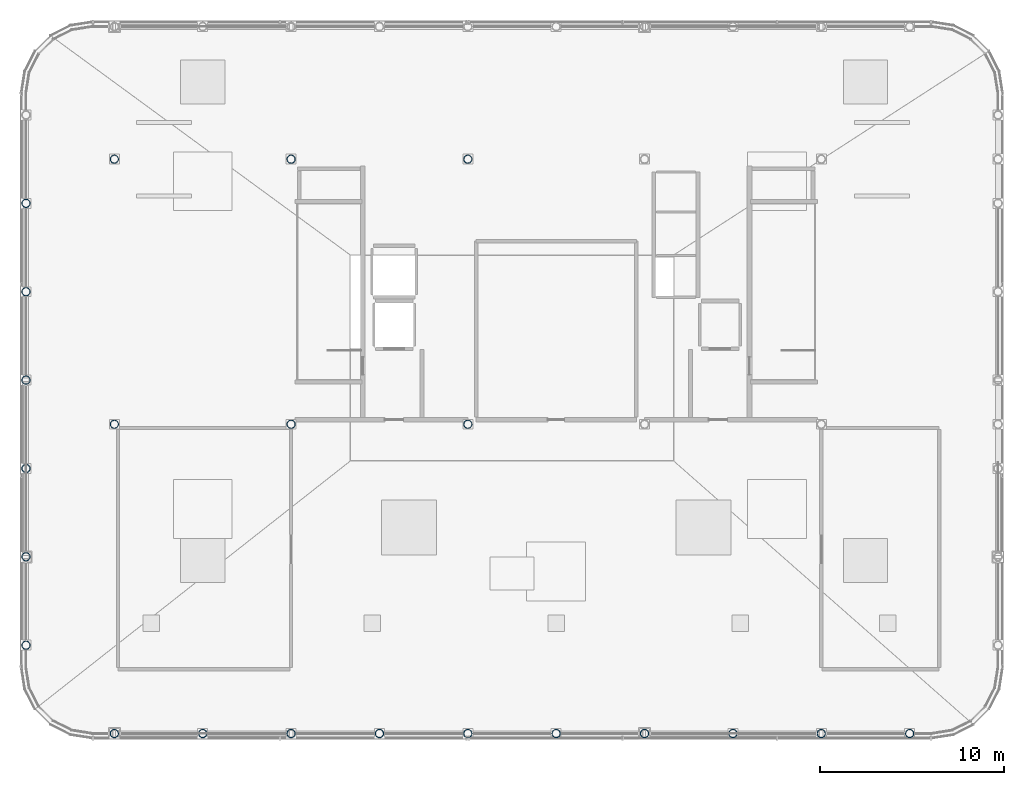
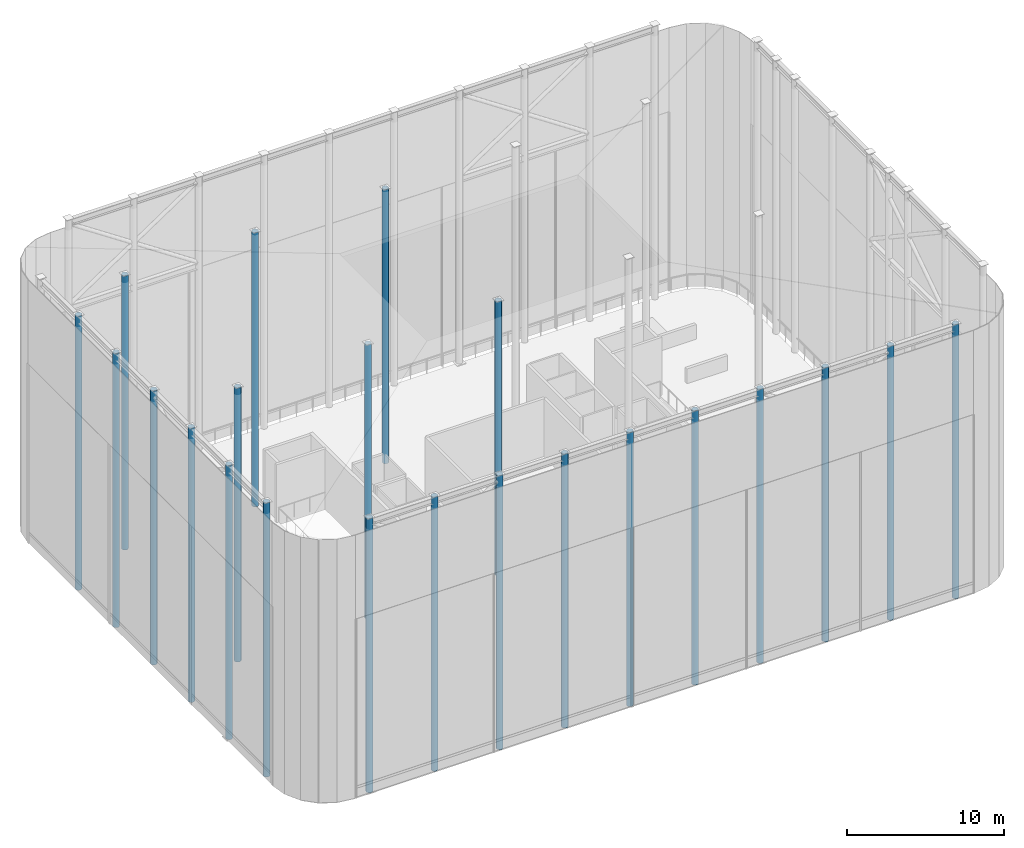
# One storey, part 1 of 42: 22 columns.
"""IFC4 building model written with IfcOpenShell, lengths in metres."""

from ifc_helpers import new_model, si_unit, direction, frame, origin, origin_2d, place, context, subcontext, project, spatial, hollow_circle, extrude, material, material_profile, profile_set, type_object, element, save


model = new_model("IFC4")

# Units and contexts
model_context = context("Model", 3, precision=1e-05, world=origin(), true_north=direction((0.0, 1.0)))
body_context = subcontext(model_context, "Body", "Model", "MODEL_VIEW")
ifc_project = project(units=[si_unit("LENGTHUNIT", "METRE"), si_unit("AREAUNIT", "SQUARE_METRE"), si_unit("VOLUMEUNIT", "CUBIC_METRE"), si_unit("PLANEANGLEUNIT", "RADIAN"), si_unit("MASSUNIT", "GRAM", prefix="KILO")], contexts=[model_context])

# Site, building, storey
site_placement = place(None, origin())
site = spatial("IfcSite", under=ifc_project, at=site_placement, CompositionType="ELEMENT")
building_placement = place(site_placement, origin())
building = spatial("IfcBuilding", under=site, at=building_placement, Name="Kallvorn Hotel Tower", CompositionType="ELEMENT")
storey_placement = place(building_placement, frame((0.0, 0.0, 306.0)))
storey = spatial("IfcBuildingStorey", under=building, at=storey_placement, Name="ROOF", CompositionType="ELEMENT", Elevation=306.0)

# Columns
ifc_material = material(Name="Structural steel S355J2H", Category="steel")
ifc_material_profile = material_profile(ifc_material, hollow_circle(Radius=0.228515625, WallThickness=0.02001953125, at=origin_2d()), Name="CHS 457x20")
ifc_profile_set = profile_set([ifc_material_profile], Name="Structural steel S355J2H")
column_type = type_object("IfcColumnType", Name="COL_CHS_457", PredefinedType="COLUMN", material=ifc_profile_set)
for number, where, z_axis, x_axis, name in (
    (1, (-28.800048828125, -19.199951171875, 0.0), (0.0, 0.0, 1.0), (1.0, 0.0, 0.0), "CROWN FRAME Ring Column 01"),
    (2, (-28.800048828125, -14.39990234375, 0.0), (0.0, 0.0, 1.0), (1.0, 0.0, 0.0), "CROWN FRAME Ring Column 02"),
    (3, (-28.800048828125, -9.60009765625, 0.0), (0.0, 0.0, 1.0), (1.0, 0.0, 0.0), "CROWN FRAME Ring Column 03"),
    (4, (-28.800048828125, -4.800048828125, 0.0), (0.0, 0.0, 1.0), (1.0, 0.0, 0.0), "CROWN FRAME Ring Column 04"),
    (5, (-28.800048828125, 0.0, 0.0), (0.0, 0.0, 1.0), (1.0, 0.0, 0.0), "CROWN FRAME Ring Column 05"),
    (6, (-28.800048828125, 4.800048828125, 0.0), (0.0, 0.0, 1.0), (1.0, 0.0, 0.0), "CROWN FRAME Ring Column 06"),
    (7, (-24.0, -24.0, 0.0), (0.0, 0.0, 1.0), (1.0, 0.0, 0.0), "CROWN FRAME Ring Column 08"),
    (8, (-24.0, -7.199951171875, 0.0), (0.0, 0.0, 1.0), (1.0, 0.0, 0.0), "CROWN FRAME Ring Column 09"),
    (9, (-24.0, 7.199951171875, 0.0), (0.0, 0.0, 1.0), (1.0, 0.0, 0.0), "CROWN FRAME Ring Column 10"),
    (10, (-19.199951171875, -24.0, 0.0), (0.0, 0.0, 1.0), (1.0, 0.0, 0.0), "CROWN FRAME Ring Column 12"),
    (11, (-14.39990234375, -24.0, 0.0), (0.0, 0.0, 1.0), (1.0, 0.0, 0.0), "CROWN FRAME Ring Column 14"),
    (12, (-14.39990234375, -7.199951171875, 0.0), (0.0, 0.0, 1.0), (1.0, 0.0, 0.0), "CROWN FRAME Ring Column 15"),
    (13, (-14.39990234375, 7.199951171875, 0.0), (0.0, 0.0, 1.0), (1.0, 0.0, 0.0), "CROWN FRAME Ring Column 16"),
    (14, (-9.60009765625, -24.0, 0.0), (0.0, 0.0, 1.0), (1.0, 0.0, 0.0), "CROWN FRAME Ring Column 18"),
    (15, (-4.800048828125, -24.0, 0.0), (0.0, 0.0, 1.0), (1.0, 0.0, 0.0), "CROWN FRAME Ring Column 20"),
    (16, (-4.800048828125, -7.199951171875, 0.0), (0.0, 0.0, 1.0), (1.0, 0.0, 0.0), "CROWN FRAME Ring Column 21"),
    (17, (-4.800048828125, 7.199951171875, 0.0), (0.0, 0.0, 1.0), (1.0, 0.0, 0.0), "CROWN FRAME Ring Column 22"),
    (18, (0.0, -24.0, 0.0), (0.0, 0.0, 1.0), (1.0, 0.0, 0.0), "CROWN FRAME Ring Column 24"),
    (19, (4.800048828125, -24.0, 0.0), (0.0, 0.0, 1.0), (1.0, 0.0, 0.0), "CROWN FRAME Ring Column 26"),
    (20, (9.60009765625, -24.0, 0.0), (0.0, 0.0, 1.0), (1.0, 0.0, 0.0), "CROWN FRAME Ring Column 30"),
    (21, (14.39990234375, -24.0, 0.0), (0.0, 0.0, 1.0), (1.0, 0.0, 0.0), "CROWN FRAME Ring Column 32"),
    (22, (19.199951171875, -24.0, 0.0), (0.0, 0.0, 1.0), (1.0, 0.0, 0.0), "CROWN FRAME Ring Column 36"),
):
    element("IfcColumn", number, at=place(storey_placement, frame(where, z_axis=z_axis, x_axis=x_axis)), inside=storey, type_object=column_type, Name=name, PredefinedType="COLUMN", context=body_context, shape_type="SweptSolid", body=[
        extrude(hollow_circle(Radius=0.228515625, WallThickness=0.02001953125, at=origin_2d()), origin(), (0.0, 0.0, 1.0), 21.360107421875),
    ])

save(model, "model.ifc")
